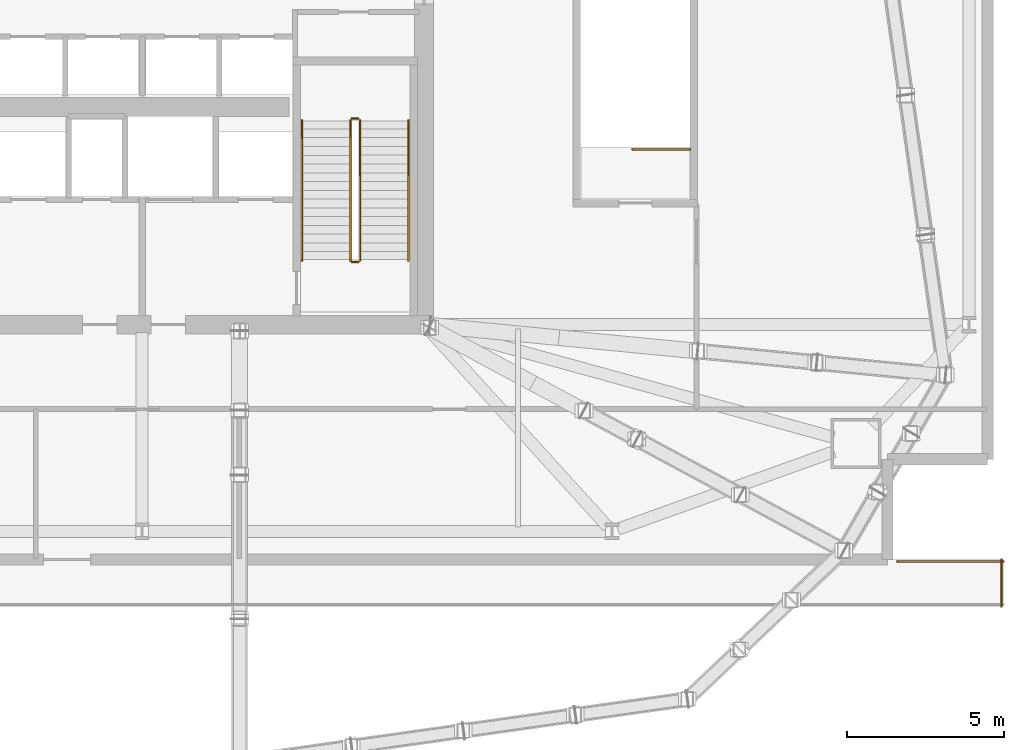
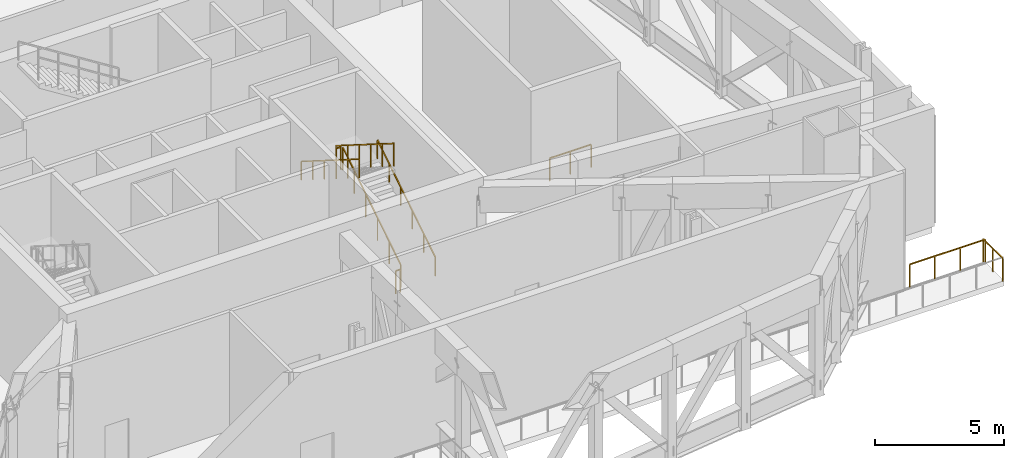
# One storey, part 15 of 15: 9 railings.
"""IFC4 building model written with IfcOpenShell, lengths in metres."""

from ifc_helpers import new_model, si_unit, direction, frame, origin, origin_2d, place, context, subcontext, project, spatial, rectangle, extrude, material, type_object, element, save


model = new_model("IFC4")

# Units and contexts
model_context = context("Model", 3, precision=1e-05, world=origin(), true_north=direction((0.0, 1.0)))
body_context = subcontext(model_context, "Body", "Model", "MODEL_VIEW")
ifc_project = project(units=[si_unit("LENGTHUNIT", "METRE"), si_unit("AREAUNIT", "SQUARE_METRE"), si_unit("VOLUMEUNIT", "CUBIC_METRE"), si_unit("PLANEANGLEUNIT", "RADIAN"), si_unit("MASSUNIT", "GRAM", prefix="KILO")], contexts=[model_context])

# Site, building, storey
site_placement = place(None, origin())
site = spatial("IfcSite", under=ifc_project, at=site_placement, CompositionType="ELEMENT")
building_placement = place(site_placement, origin())
building = spatial("IfcBuilding", under=site, at=building_placement, Name="Haldenkirk Collegiate Tower", CompositionType="ELEMENT")
storey_placement = place(building_placement, frame((0.0, 0.0, 22.199951171875)))
storey = spatial("IfcBuildingStorey", under=building, at=storey_placement, Name="L04", CompositionType="ELEMENT", Elevation=22.199951171875)

# Railings
ifc_material_1 = material(Name="Painted architectural tubular steel", Category="steel")
railing_type_1 = type_object("IfcRailingType", Name="RLG-STAIR-GUARD-1100", PredefinedType="BALUSTRADE", material=ifc_material_1)
railing_1_placement = place(storey_placement, frame((42.949951171875, 20.050048828125, 0.176513671875)))
element("IfcRailing", 1, at=railing_1_placement, inside=storey, type_object=railing_type_1, Name="L04 ST-2 stair guard 1", PredefinedType="BALUSTRADE", context=body_context, shape_type="SweptSolid", body=[
    extrude(rectangle(XDim=0.048095703125, YDim=0.048095703125, at=origin_2d()), frame((0.0, 0.0, 1.076171875), z_axis=(0.0, 0.845997938375, 0.533186166611), x_axis=(-1.0, 0.0, 0.0)), (0.0, 0.0, 1.0), 5.29541015625),
    extrude(rectangle(XDim=0.0419921875, YDim=0.0419921875, at=origin_2d()), origin(), (0.0, 0.0, 1.0), 1.052001953125),
    extrude(rectangle(XDim=0.0419921875, YDim=0.0419921875, at=origin_2d()), frame((0.0, 0.89599609375, 0.564697265625)), (0.0, 0.0, 1.0), 1.052001953125),
    extrude(rectangle(XDim=0.0419921875, YDim=0.0419921875, at=origin_2d()), frame((0.0, 1.7919921875, 1.12939453125)), (0.0, 0.0, 1.0), 1.052001953125),
    extrude(rectangle(XDim=0.0419921875, YDim=0.0419921875, at=origin_2d()), frame((0.0, 2.68798828125, 1.694091796875)), (0.0, 0.0, 1.0), 1.052001953125),
    extrude(rectangle(XDim=0.0419921875, YDim=0.0419921875, at=origin_2d()), frame((0.0, 3.583984375, 2.2587890625)), (0.0, 0.0, 1.0), 1.052001953125),
    extrude(rectangle(XDim=0.0419921875, YDim=0.0419921875, at=origin_2d()), frame((0.0, 4.47998046875, 2.823486328125)), (0.0, 0.0, 1.0), 1.052001953125),
])
railing_2_placement = place(storey_placement, frame((42.89990234375, 24.580078125, 3.0)))
element("IfcRailing", 2, at=railing_2_placement, inside=storey, type_object=railing_type_1, Name="L04 ST-2 stair guard 2", PredefinedType="BALUSTRADE", context=body_context, shape_type="SweptSolid", body=[
    extrude(rectangle(XDim=0.048095703125, YDim=0.048095703125, at=origin_2d()), frame((0.0, 0.0, 1.076171875), z_axis=(-1.0, 0.0, 0.0), x_axis=(0.0, -1.0, 0.0)), (0.0, 0.0, 1.0), 0.199951171875),
    extrude(rectangle(XDim=0.0419921875, YDim=0.0419921875, at=origin_2d()), origin(), (0.0, 0.0, 1.0), 1.052001953125),
    extrude(rectangle(XDim=0.0419921875, YDim=0.0419921875, at=origin_2d()), frame((-0.199951171875, 0.0, 0.0)), (0.0, 0.0, 1.0), 1.052001953125),
])
railing_3_placement = place(storey_placement, frame((42.64990234375, 24.530029296875, 3.176513671875)))
element("IfcRailing", 3, at=railing_3_placement, inside=storey, type_object=railing_type_1, Name="L04 ST-2 stair guard 3", PredefinedType="BALUSTRADE", context=body_context, shape_type="SweptSolid", body=[
    extrude(rectangle(XDim=0.048095703125, YDim=0.048095703125, at=origin_2d()), frame((0.0, 0.0, 1.076171875), z_axis=(0.0, -0.845997938375, 0.533186166611), x_axis=(1.0, 0.0, 0.0)), (0.0, 0.0, 1.0), 5.29541015625),
    extrude(rectangle(XDim=0.0419921875, YDim=0.0419921875, at=origin_2d()), origin(), (0.0, 0.0, 1.0), 1.052001953125),
    extrude(rectangle(XDim=0.0419921875, YDim=0.0419921875, at=origin_2d()), frame((0.0, -0.89599609375, 0.564697265625)), (0.0, 0.0, 1.0), 1.052001953125),
    extrude(rectangle(XDim=0.0419921875, YDim=0.0419921875, at=origin_2d()), frame((0.0, -1.7919921875, 1.12939453125)), (0.0, 0.0, 1.0), 1.052001953125),
    extrude(rectangle(XDim=0.0419921875, YDim=0.0419921875, at=origin_2d()), frame((0.0, -2.68798828125, 1.694091796875)), (0.0, 0.0, 1.0), 1.052001953125),
    extrude(rectangle(XDim=0.0419921875, YDim=0.0419921875, at=origin_2d()), frame((0.0, -3.583984375, 2.2587890625)), (0.0, 0.0, 1.0), 1.052001953125),
    extrude(rectangle(XDim=0.0419921875, YDim=0.0419921875, at=origin_2d()), frame((0.0, -4.47998046875, 2.823486328125)), (0.0, 0.0, 1.0), 1.052001953125),
])
railing_4_placement = place(storey_placement, frame((42.89990234375, 20.0, 0.0)))
element("IfcRailing", 4, at=railing_4_placement, inside=storey, type_object=railing_type_1, Name="L04 ST-2 stair guard 4", PredefinedType="BALUSTRADE", context=body_context, shape_type="SweptSolid", body=[
    extrude(rectangle(XDim=0.048095703125, YDim=0.048095703125, at=origin_2d()), frame((0.0, 0.0, 1.076171875), z_axis=(-1.0, 0.0, 0.0), x_axis=(0.0, -1.0, 0.0)), (0.0, 0.0, 1.0), 0.199951171875),
    extrude(rectangle(XDim=0.0419921875, YDim=0.0419921875, at=origin_2d()), origin(), (0.0, 0.0, 1.0), 1.052001953125),
    extrude(rectangle(XDim=0.0419921875, YDim=0.0419921875, at=origin_2d()), frame((-0.199951171875, 0.0, 0.0)), (0.0, 0.0, 1.0), 1.052001953125),
])
railing_5_placement = place(storey_placement, frame((53.5, 23.60009765625, 0.0)))
element("IfcRailing", 5, at=railing_5_placement, inside=storey, type_object=railing_type_1, Name="L04 ST-5 top well guard 1", PredefinedType="BALUSTRADE", context=body_context, shape_type="SweptSolid", body=[
    extrude(rectangle(XDim=0.048095703125, YDim=0.048095703125, at=origin_2d()), frame((0.0, 0.0, 1.076171875), z_axis=(-1.0, 0.0, 0.0), x_axis=(0.0, -1.0, 0.0)), (0.0, 0.0, 1.0), 1.85009765625),
    extrude(rectangle(XDim=0.0419921875, YDim=0.0419921875, at=origin_2d()), origin(), (0.0, 0.0, 1.0), 1.052001953125),
    extrude(rectangle(XDim=0.0419921875, YDim=0.0419921875, at=origin_2d()), frame((-0.925048828125, 0.0, 0.0)), (0.0, 0.0, 1.0), 1.052001953125),
    extrude(rectangle(XDim=0.0419921875, YDim=0.0419921875, at=origin_2d()), frame((-1.85009765625, 0.0, 0.0)), (0.0, 0.0, 1.0), 1.052001953125),
])
railing_type_2 = type_object("IfcRailingType", Name="RLG-STAIR-HANDRAIL-900", PredefinedType="HANDRAIL", material=ifc_material_1)
railing_6_placement = place(storey_placement, frame((44.5, 20.050048828125, 0.176513671875)))
element("IfcRailing", 6, at=railing_6_placement, inside=storey, type_object=railing_type_2, Name="L04 ST-2 stair handrail 1", PredefinedType="HANDRAIL", context=body_context, shape_type="SweptSolid", body=[
    extrude(rectangle(XDim=0.048095703125, YDim=0.048095703125, at=origin_2d()), frame((0.0, 0.0, 0.8759765625), z_axis=(0.0, 0.845997938375, 0.533186166611), x_axis=(-1.0, 0.0, 0.0)), (0.0, 0.0, 1.0), 5.29541015625),
    extrude(rectangle(XDim=0.0419921875, YDim=0.0419921875, at=origin_2d()), origin(), (0.0, 0.0, 1.0), 0.851806640625),
    extrude(rectangle(XDim=0.0419921875, YDim=0.0419921875, at=origin_2d()), frame((0.0, 0.89599609375, 0.564697265625)), (0.0, 0.0, 1.0), 0.851806640625),
    extrude(rectangle(XDim=0.0419921875, YDim=0.0419921875, at=origin_2d()), frame((0.0, 1.7919921875, 1.12939453125)), (0.0, 0.0, 1.0), 0.851806640625),
    extrude(rectangle(XDim=0.0419921875, YDim=0.0419921875, at=origin_2d()), frame((0.0, 2.68798828125, 1.694091796875)), (0.0, 0.0, 1.0), 0.851806640625),
    extrude(rectangle(XDim=0.0419921875, YDim=0.0419921875, at=origin_2d()), frame((0.0, 3.583984375, 2.2587890625)), (0.0, 0.0, 1.0), 0.851806640625),
    extrude(rectangle(XDim=0.0419921875, YDim=0.0419921875, at=origin_2d()), frame((0.0, 4.47998046875, 2.823486328125)), (0.0, 0.0, 1.0), 0.851806640625),
])
railing_7_placement = place(storey_placement, frame((41.10009765625, 24.530029296875, 3.176513671875)))
element("IfcRailing", 7, at=railing_7_placement, inside=storey, type_object=railing_type_2, Name="L04 ST-2 stair handrail 2", PredefinedType="HANDRAIL", context=body_context, shape_type="SweptSolid", body=[
    extrude(rectangle(XDim=0.048095703125, YDim=0.048095703125, at=origin_2d()), frame((0.0, 0.0, 0.8759765625), z_axis=(0.0, -0.845997938375, 0.533186166611), x_axis=(1.0, 0.0, 0.0)), (0.0, 0.0, 1.0), 5.29541015625),
    extrude(rectangle(XDim=0.0419921875, YDim=0.0419921875, at=origin_2d()), origin(), (0.0, 0.0, 1.0), 0.851806640625),
    extrude(rectangle(XDim=0.0419921875, YDim=0.0419921875, at=origin_2d()), frame((0.0, -0.89599609375, 0.564697265625)), (0.0, 0.0, 1.0), 0.851806640625),
    extrude(rectangle(XDim=0.0419921875, YDim=0.0419921875, at=origin_2d()), frame((0.0, -1.7919921875, 1.12939453125)), (0.0, 0.0, 1.0), 0.851806640625),
    extrude(rectangle(XDim=0.0419921875, YDim=0.0419921875, at=origin_2d()), frame((0.0, -2.68798828125, 1.694091796875)), (0.0, 0.0, 1.0), 0.851806640625),
    extrude(rectangle(XDim=0.0419921875, YDim=0.0419921875, at=origin_2d()), frame((0.0, -3.583984375, 2.2587890625)), (0.0, 0.0, 1.0), 0.851806640625),
    extrude(rectangle(XDim=0.0419921875, YDim=0.0419921875, at=origin_2d()), frame((0.0, -4.47998046875, 2.823486328125)), (0.0, 0.0, 1.0), 0.851806640625),
])
ifc_material_2 = material(Name="Anodised architectural bronze aluminium", Category="aluminium")
railing_type_3 = type_object("IfcRailingType", Name="RLG-TERR-BALUSTRADE-1100", PredefinedType="BALUSTRADE", material=ifc_material_2)
railing_8_placement = place(storey_placement, frame((63.43994140625, 9.0, 0.0)))
element("IfcRailing", 8, at=railing_8_placement, inside=storey, type_object=railing_type_3, Name="L04 terrace guard balustrade 2-1", PredefinedType="BALUSTRADE", context=body_context, shape_type="SweptSolid", body=[
    extrude(rectangle(XDim=0.048095703125, YDim=0.048095703125, at=origin_2d()), frame((0.0, 0.0, 1.076171875), z_axis=(0.0, 1.0, 0.0), x_axis=(-1.0, 0.0, 0.0)), (0.0, 0.0, 1.0), 1.5),
    extrude(rectangle(XDim=0.0419921875, YDim=0.0419921875, at=origin_2d()), origin(), (0.0, 0.0, 1.0), 1.052001953125),
    extrude(rectangle(XDim=0.0419921875, YDim=0.0419921875, at=origin_2d()), frame((0.0, 0.75, 0.0)), (0.0, 0.0, 1.0), 1.052001953125),
    extrude(rectangle(XDim=0.0419921875, YDim=0.0419921875, at=origin_2d()), frame((0.0, 1.5, 0.0)), (0.0, 0.0, 1.0), 1.052001953125),
])
railing_9_placement = place(storey_placement, frame((63.5, 10.43994140625, 0.0)))
element("IfcRailing", 9, at=railing_9_placement, inside=storey, type_object=railing_type_3, Name="L04 terrace guard balustrade 3-1", PredefinedType="BALUSTRADE", context=body_context, shape_type="SweptSolid", body=[
    extrude(rectangle(XDim=0.048095703125, YDim=0.048095703125, at=origin_2d()), frame((0.0, 0.0, 1.076171875), z_axis=(-1.0, 0.0, 0.0), x_axis=(0.0, -1.0, 0.0)), (0.0, 0.0, 1.0), 3.3798828125),
    extrude(rectangle(XDim=0.0419921875, YDim=0.0419921875, at=origin_2d()), origin(), (0.0, 0.0, 1.0), 1.052001953125),
    extrude(rectangle(XDim=0.0419921875, YDim=0.0419921875, at=origin_2d()), frame((-1.126708984375, 0.0, 0.0)), (0.0, 0.0, 1.0), 1.052001953125),
    extrude(rectangle(XDim=0.0419921875, YDim=0.0419921875, at=origin_2d()), frame((-2.253173828125, 0.0, 0.0)), (0.0, 0.0, 1.0), 1.052001953125),
    extrude(rectangle(XDim=0.0419921875, YDim=0.0419921875, at=origin_2d()), frame((-3.3798828125, 0.0, 0.0)), (0.0, 0.0, 1.0), 1.052001953125),
])

save(model, "model.ifc")
